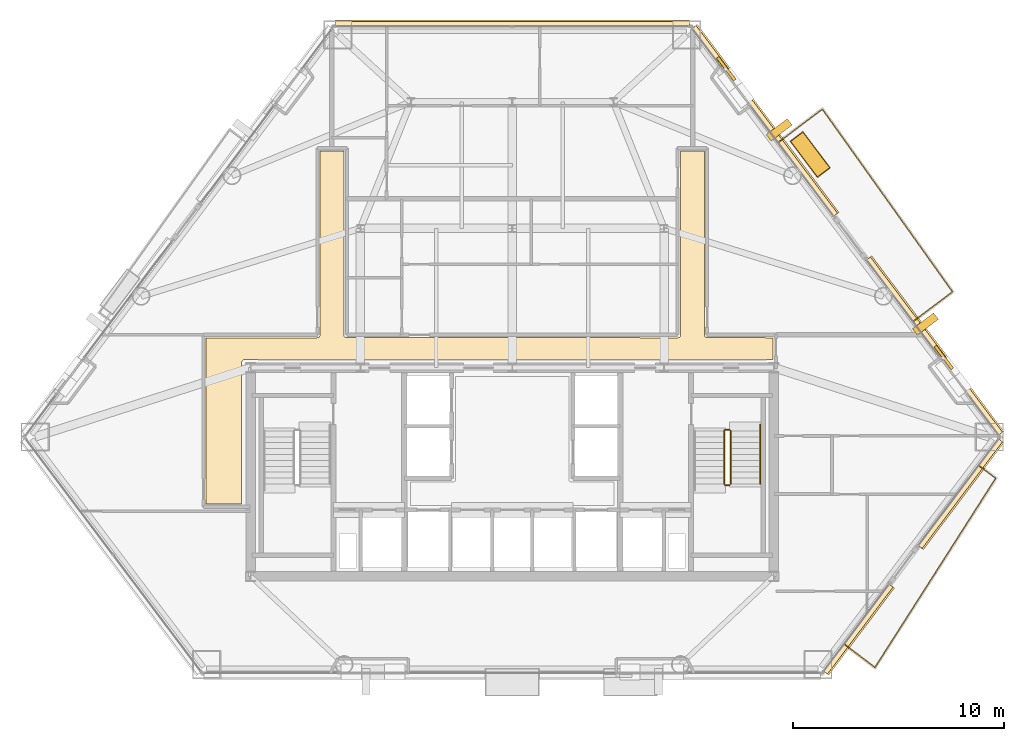
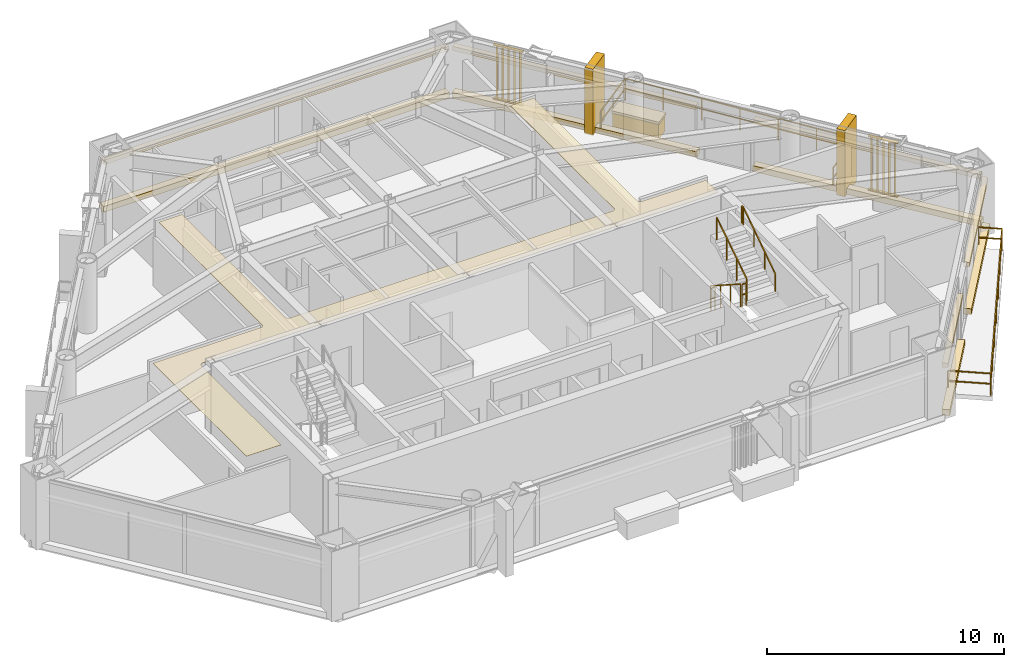
# One storey, part 11 of 11: 15 coverings, 7 railings, 2 shading devices.
"""IFC4 building model written with IfcOpenShell, lengths in metres."""

from ifc_helpers import new_model, si_unit, direction, frame, origin, origin_2d, place, context, subcontext, project, spatial, polyline, rectangle, outline, extrude, source, transform, mapped, material, layer, layer_set, type_object, type_shapes, element, save


model = new_model("IFC4")

# Units and contexts
model_context = context("Model", 3, precision=1e-05, world=origin(), true_north=direction((0.0, 1.0)))
body_context = subcontext(model_context, "Body", "Model", "MODEL_VIEW")
ifc_project = project(units=[si_unit("LENGTHUNIT", "METRE"), si_unit("AREAUNIT", "SQUARE_METRE"), si_unit("VOLUMEUNIT", "CUBIC_METRE"), si_unit("PLANEANGLEUNIT", "RADIAN"), si_unit("MASSUNIT", "GRAM", prefix="KILO")], contexts=[model_context])

# Site, building, storey
site_placement = place(None, origin())
site = spatial("IfcSite", under=ifc_project, at=site_placement, CompositionType="ELEMENT")
building_placement = place(site_placement, origin())
building = spatial("IfcBuilding", under=site, at=building_placement, Name="Talgorran Terracotta Tower", CompositionType="ELEMENT")
storey_placement = place(building_placement, frame((0.0, 0.0, 27.89990234375)))
storey = spatial("IfcBuildingStorey", under=building, at=storey_placement, Name="L06", CompositionType="ELEMENT", Elevation=27.89990234375)

# Coverings
ifc_material_1 = material(Name="Kiln-Fired Terracotta Ochre Ceramic", Category="masonry")
ifc_layer_1 = layer(ifc_material_1, 0.179931640625, Name="COV_BAGUETTE_TERRACOTTA_SCREEN")
ifc_layer_set_1 = layer_set([ifc_layer_1], Name="Kiln-Fired Terracotta Ochre Ceramic")
covering_type_1 = type_object("IfcCoveringType", Name="COV_BAGUETTE_TERRACOTTA_SCREEN", PredefinedType="CLADDING", material=ifc_layer_set_1)
covering_1_placement = place(storey_placement, frame((16.395263671875, -16.590576171875, 2.41015625), z_axis=(0.0, 0.0, 1.0), x_axis=(0.601801084241, 0.798646013579, 0.0)))
element("IfcCovering", 1, at=covering_1_placement, inside=storey, type_object=covering_type_1, Name="L06 Terracotta Baguette Solar Screen Assembly F30", PredefinedType="CLADDING", context=body_context, shape_type="SweptSolid", body=[
    extrude(rectangle(XDim=5.163330078125, YDim=0.260009765625, at=origin_2d()), origin(), (0.0, 0.0, 1.0), 0.219970703125),
])
covering_2_placement = place(storey_placement, frame((21.237060546875, -10.1650390625, 2.41015625), z_axis=(0.0, 0.0, 1.0), x_axis=(0.601815023152, 0.798635510047, 0.0)))
element("IfcCovering", 2, at=covering_2_placement, inside=storey, type_object=covering_type_1, Name="L06 Terracotta Baguette Solar Screen Assembly F31", PredefinedType="CLADDING", context=body_context, shape_type="SweptSolid", body=[
    extrude(rectangle(XDim=6.327392578125, YDim=0.260009765625, at=origin_2d()), origin(), (0.0, 0.0, 1.0), 0.219970703125),
])
covering_3_placement = place(storey_placement, frame((20.010986328125, -3.188720703125, 2.41015625), z_axis=(0.0, 0.0, 1.0), x_axis=(-0.601801084241, 0.798646013579, 0.0)))
element("IfcCovering", 3, at=covering_3_placement, inside=storey, type_object=covering_type_1, Name="L06 Terracotta Baguette Solar Screen Assembly F40", PredefinedType="CLADDING", context=body_context, shape_type="SweptSolid", body=[
    extrude(rectangle(XDim=10.401611328125, YDim=0.260009765625, at=origin_2d()), origin(), (0.0, 0.0, 1.0), 0.219970703125),
])
covering_4_placement = place(storey_placement, frame((11.962646484375, 7.491943359375, 2.41015625), z_axis=(0.0, 0.0, 1.0), x_axis=(-0.601815023152, 0.798635510047, 0.0)))
element("IfcCovering", 4, at=covering_4_placement, inside=storey, type_object=covering_type_1, Name="L06 Terracotta Baguette Solar Screen Assembly F41", PredefinedType="CLADDING", context=body_context, shape_type="SweptSolid", body=[
    extrude(rectangle(XDim=11.14599609375, YDim=0.260009765625, at=origin_2d()), origin(), (0.0, 0.0, 1.0), 0.219970703125),
])
covering_5_placement = place(storey_placement, frame((0.0, 12.0703125, 2.41015625), z_axis=(0.0, 0.0, 1.0), x_axis=(-1.0, 0.0, 0.0)))
element("IfcCovering", 5, at=covering_5_placement, inside=storey, type_object=covering_type_1, Name="L06 Terracotta Baguette Solar Screen Assembly F4", PredefinedType="CLADDING", context=body_context, shape_type="SweptSolid", body=[
    extrude(rectangle(XDim=16.78515625, YDim=0.260009765625, at=origin_2d()), origin(), (0.0, 0.0, 1.0), 0.219970703125),
])
ifc_material_2 = material(Name="Mineral Fibre Acoustic Tile")
ifc_layer_2 = layer(ifc_material_2, 0.02490234375, Name="COV_CEIL_ACOUSTIC")
ifc_layer_set_2 = layer_set([ifc_layer_2], Name="Mineral Fibre Acoustic Tile")
covering_type_2 = type_object("IfcCoveringType", Name="COV_CEIL_ACOUSTIC", PredefinedType="CEILING", material=ifc_layer_set_2)
covering_6_placement = place(storey_placement, frame((0.0, 0.0, 3.260009765625)))
element("IfcCovering", 6, at=covering_6_placement, inside=storey, type_object=covering_type_2, Name="CEIL-L06-2", PredefinedType="CEILING", context=body_context, shape_type="SweptSolid", body=[
    extrude(outline(polyline([(-12.78857421875, -3.87841796875), (-12.79541015625, -3.884521484375), (-12.803466796875, -3.893310546875), (-12.810302734375, -3.90283203125), (-12.81640625, -3.9130859375), (-12.820556640625, -3.920654296875), (-12.82568359375, -3.931396484375), (-12.82958984375, -3.9423828125), (-12.83251953125, -3.953857421875), (-12.833984375, -3.96533203125), (-12.834716796875, -3.97705078125), (-12.8349609375, -10.6650390625), (-14.514892578125, -10.6650390625), (-14.514892578125, -2.784912109375), (-9.25, -2.784912109375), (-9.23828125, -2.784423828125), (-9.226806640625, -2.78271484375), (-9.21533203125, -2.77978515625), (-9.20703125, -2.77734375), (-9.196044921875, -2.7734375), (-9.185302734375, -2.768310546875), (-9.17529296875, -2.762451171875), (-9.165771484375, -2.75537109375), (-9.156982421875, -2.74755859375), (-9.149169921875, -2.73876953125), (-9.1435546875, -2.73193359375), (-9.136474609375, -2.722412109375), (-9.13037109375, -2.71240234375), (-9.125244140625, -2.70166015625), (-9.121337890625, -2.690673828125), (-9.118408203125, -2.67919921875), (-9.11669921875, -2.66748046875), (-9.1162109375, -2.65576171875), (-9.114990234375, 6.06494140625), (-7.985107421875, 6.06494140625), (-7.985107421875, -2.64990234375), (-7.984375, -2.66162109375), (-7.982666015625, -2.67333984375), (-7.97998046875, -2.6845703125), (-7.977294921875, -2.69287109375), (-7.973388671875, -2.7041015625), (-7.968505859375, -2.714599609375), (-7.96240234375, -2.724853515625), (-7.955322265625, -2.734375), (-7.947509765625, -2.742919921875), (-7.938720703125, -2.7509765625), (-7.931884765625, -2.756591796875), (-7.922607421875, -2.763671875), (-7.912353515625, -2.769775390625), (-7.901611328125, -2.774658203125), (-7.890625, -2.77880859375), (-7.879150390625, -2.781494140625), (-7.867431640625, -2.783203125), (-7.855712890625, -2.783935546875), (7.85009765625, -2.784912109375), (7.86181640625, -2.784423828125), (7.873291015625, -2.78271484375), (7.884521484375, -2.77978515625), (7.892822265625, -2.77734375), (7.904052734375, -2.7734375), (7.914794921875, -2.768310546875), (7.9248046875, -2.762451171875), (7.934326171875, -2.75537109375), (7.943115234375, -2.74755859375), (7.950927734375, -2.73876953125), (7.95654296875, -2.73193359375), (7.963623046875, -2.722412109375), (7.9697265625, -2.71240234375), (7.974609375, -2.70166015625), (7.978759765625, -2.690673828125), (7.981689453125, -2.67919921875), (7.9833984375, -2.66748046875), (7.98388671875, -2.65576171875), (7.985107421875, 6.06494140625), (9.114990234375, 6.06494140625), (9.114990234375, -2.64990234375), (9.115478515625, -2.66162109375), (9.1171875, -2.67333984375), (9.1201171875, -2.6845703125), (9.12255859375, -2.69287109375), (9.12646484375, -2.7041015625), (9.131591796875, -2.714599609375), (9.1376953125, -2.724853515625), (9.14453125, -2.734375), (9.152587890625, -2.742919921875), (9.1611328125, -2.7509765625), (9.16796875, -2.756591796875), (9.177490234375, -2.763671875), (9.1875, -2.769775390625), (9.1982421875, -2.774658203125), (9.20947265625, -2.77880859375), (9.220703125, -2.781494140625), (9.232421875, -2.783203125), (9.244384765625, -2.783935546875), (12.364990234375, -2.784912109375), (12.364990234375, -3.80908203125), (12.1201171875, -3.80908203125), (12.108154296875, -3.8095703125), (12.0966796875, -3.811279296875), (12.085205078125, -3.814208984375), (12.07421875, -3.818115234375), (12.0634765625, -3.8232421875), (12.05322265625, -3.8291015625), (12.0439453125, -3.836181640625), (12.03515625, -3.843994140625), (12.034423828125, -3.844970703125), (7.432861328125, -3.844970703125), (6.968017578125, -3.843017578125), (6.967529296875, -3.843017578125), (0.232666015625, -3.844970703125), (-0.23193359375, -3.843017578125), (-0.232421875, -3.843017578125), (-6.96728515625, -3.844970703125), (-7.431884765625, -3.843017578125), (-7.4326171875, -3.843017578125), (-12.034423828125, -3.844970703125), (-12.03515625, -3.843994140625), (-12.0439453125, -3.836181640625), (-12.05322265625, -3.8291015625), (-12.0634765625, -3.8232421875), (-12.07421875, -3.818115234375), (-12.085205078125, -3.814208984375), (-12.0966796875, -3.811279296875), (-12.108154296875, -3.8095703125), (-12.1201171875, -3.80908203125), (-12.679931640625, -3.80908203125), (-12.69189453125, -3.8095703125), (-12.703369140625, -3.811279296875), (-12.71484375, -3.814208984375), (-12.725830078125, -3.818115234375), (-12.736572265625, -3.8232421875), (-12.74658203125, -3.8291015625), (-12.756103515625, -3.836181640625), (-12.764892578125, -3.843994140625), (-12.772705078125, -3.852783203125), (-12.77978515625, -3.8623046875), (-12.785888671875, -3.872314453125), (-12.78857421875, -3.87841796875)])), origin(), (0.0, 0.0, 1.0), 0.02001953125),
])
ifc_material_3 = material(Name="Honed Limestone and Terracotta Planter", Category="masonry")
ifc_layer_3 = layer(ifc_material_3, 0.1201171875, Name="COV_PLANTER_BOX")
ifc_layer_set_3 = layer_set([ifc_layer_3], Name="Honed Limestone and Terracotta Planter")
covering_type_3 = type_object("IfcCoveringType", Name="COV_PLANTER_BOX", PredefinedType="CLADDING", material=ifc_layer_set_3)
covering_7_placement = place(storey_placement, frame((14.12548828125, 5.901123046875, -0.02001953125), z_axis=(0.0, 0.0, 1.0), x_axis=(-0.601815023152, 0.798635510047, 0.0)))
element("IfcCovering", 7, at=covering_7_placement, inside=storey, type_object=covering_type_3, Name="L06 Staggered Balcony Planter Box BAL-NE", PredefinedType="CLADDING", context=body_context, shape_type="SweptSolid", body=[
    extrude(rectangle(XDim=2.10009765625, YDim=0.719970703125, at=origin_2d()), origin(), (0.0, 0.0, 1.0), 0.860107421875),
])
ifc_material_4 = material(Name="Kiln-Fired Terracotta Planter Rim", Category="masonry")
ifc_layer_4 = layer(ifc_material_4, 0.10009765625, Name="COV_PLANTER_RIM")
ifc_layer_set_4 = layer_set([ifc_layer_4], Name="Kiln-Fired Terracotta Planter Rim")
covering_type_4 = type_object("IfcCoveringType", Name="COV_PLANTER_RIM", PredefinedType="CLADDING", material=ifc_layer_set_4)
covering_8_placement = place(storey_placement, frame((14.12548828125, 5.901123046875, 0.800048828125), z_axis=(0.0, 0.0, 1.0), x_axis=(-0.601815023152, 0.798635510047, 0.0)))
element("IfcCovering", 8, at=covering_8_placement, inside=storey, type_object=covering_type_4, Name="L06 Balcony Planter Terracotta Rim BAL-NE", PredefinedType="CLADDING", context=body_context, shape_type="SweptSolid", body=[
    extrude(rectangle(XDim=2.179931640625, YDim=0.780029296875, at=origin_2d()), origin(), (0.0, 0.0, 1.0), 0.1201171875),
])
ifc_material_5 = material(Name="Honed Limestone Cladding", Category="masonry")
ifc_layer_5 = layer(ifc_material_5, 0.094970703125, Name="COV_PORTAL_LIME")
ifc_layer_set_5 = layer_set([ifc_layer_5], Name="Honed Limestone Cladding")
covering_type_5 = type_object("IfcCoveringType", Name="COV_PORTAL_LIME", PredefinedType="CLADDING", material=ifc_layer_set_5)
covering_9_placement = place(storey_placement, frame((16.427001953125, -16.614501953125, -0.0400390625), z_axis=(0.0, 0.0, 1.0), x_axis=(0.601801084241, 0.798646013579, 0.0)))
element("IfcCovering", 9, at=covering_9_placement, inside=storey, type_object=covering_type_5, Name="L06 Striped Postmodern Portal Cladding Band F30", PredefinedType="CLADDING", context=body_context, shape_type="SweptSolid", body=[
    extrude(rectangle(XDim=5.183349609375, YDim=0.340087890625, at=origin_2d()), origin(), (0.0, 0.0, 1.0), 0.300048828125),
])
covering_10_placement = place(storey_placement, frame((21.268798828125, -10.189208984375, -0.0400390625), z_axis=(0.0, 0.0, 1.0), x_axis=(0.601815023152, 0.798635510047, 0.0)))
element("IfcCovering", 10, at=covering_10_placement, inside=storey, type_object=covering_type_5, Name="L06 Striped Postmodern Portal Cladding Band F31", PredefinedType="CLADDING", context=body_context, shape_type="SweptSolid", body=[
    extrude(rectangle(XDim=6.347412109375, YDim=0.340087890625, at=origin_2d()), origin(), (0.0, 0.0, 1.0), 0.300048828125),
])
covering_11_placement = place(storey_placement, frame((20.04296875, -3.164794921875, -0.0400390625), z_axis=(0.0, 0.0, 1.0), x_axis=(-0.601801084241, 0.798646013579, 0.0)))
element("IfcCovering", 11, at=covering_11_placement, inside=storey, type_object=covering_type_5, Name="L06 Striped Postmodern Portal Cladding Band F40", PredefinedType="CLADDING", context=body_context, shape_type="SweptSolid", body=[
    extrude(rectangle(XDim=10.421630859375, YDim=0.340087890625, at=origin_2d()), origin(), (0.0, 0.0, 1.0), 0.300048828125),
])
covering_12_placement = place(storey_placement, frame((11.994384765625, 7.51611328125, -0.0400390625), z_axis=(0.0, 0.0, 1.0), x_axis=(-0.601815023152, 0.798635510047, 0.0)))
element("IfcCovering", 12, at=covering_12_placement, inside=storey, type_object=covering_type_5, Name="L06 Striped Postmodern Portal Cladding Band F41", PredefinedType="CLADDING", context=body_context, shape_type="SweptSolid", body=[
    extrude(rectangle(XDim=11.166015625, YDim=0.340087890625, at=origin_2d()), origin(), (0.0, 0.0, 1.0), 0.300048828125),
])
covering_13_placement = place(storey_placement, frame((0.0, 12.1103515625, -0.0400390625), z_axis=(0.0, 0.0, 1.0), x_axis=(-1.0, 0.0, 0.0)))
element("IfcCovering", 13, at=covering_13_placement, inside=storey, type_object=covering_type_5, Name="L06 Striped Postmodern Portal Cladding Band F4", PredefinedType="CLADDING", context=body_context, shape_type="SweptSolid", body=[
    extrude(rectangle(XDim=16.80517578125, YDim=0.340087890625, at=origin_2d()), origin(), (0.0, 0.0, 1.0), 0.300048828125),
])
covering_14_placement = place(storey_placement, frame((12.656005859375, 7.070068359375, -0.0498046875), z_axis=(0.0, 0.0, 1.0), x_axis=(-0.601815023152, 0.798635510047, 0.0)))
element("IfcCovering", 14, at=covering_14_placement, inside=storey, type_object=covering_type_5, Name="L06 White Striped Portal Fin F3-2", PredefinedType="CLADDING", context=body_context, shape_type="SweptSolid", body=[
    extrude(rectangle(XDim=0.3798828125, YDim=1.25, at=origin_2d()), origin(), (0.0, 0.0, 1.0), 3.39990234375),
])
ifc_material_6 = material(Name="Kiln-Fired Terracotta Cladding", Category="masonry")
ifc_layer_6 = layer(ifc_material_6, 0.090087890625, Name="COV_PORTAL_TERRA")
ifc_layer_set_6 = layer_set([ifc_layer_6], Name="Kiln-Fired Terracotta Cladding")
covering_type_6 = type_object("IfcCoveringType", Name="COV_PORTAL_TERRA", PredefinedType="CLADDING", material=ifc_layer_set_6)
covering_15_placement = place(storey_placement, frame((19.591064453125, -2.133056640625, -0.0498046875), z_axis=(0.0, 0.0, 1.0), x_axis=(-0.601815023152, 0.798635510047, 0.0)))
element("IfcCovering", 15, at=covering_15_placement, inside=storey, type_object=covering_type_6, Name="L06 Terracotta Striped Portal Fin F3-1", PredefinedType="CLADDING", context=body_context, shape_type="SweptSolid", body=[
    extrude(rectangle(XDim=0.3798828125, YDim=1.25, at=origin_2d()), origin(), (0.0, 0.0, 1.0), 3.39990234375),
])

# Railings
ifc_material_7 = material(Name="Laminated Glass and Stainless Steel 316", Category="steel")
railing_type_1 = type_object("IfcRailingType", Name="RL_BALCONY_1150", PredefinedType="BALUSTRADE", material=ifc_material_7)
railing_1_placement = place(storey_placement, frame((19.01806640625, -2.004150390625, 0.0)))
element("IfcRailing", 16, at=railing_1_placement, inside=storey, type_object=railing_type_1, Name="RL-L06-BAL-BAL-NE", PredefinedType="BALUSTRADE", context=body_context, shape_type="SweptSolid", body=[
    extrude(rectangle(XDim=0.048095703125, YDim=0.048095703125, at=origin_2d()), frame((0.0, 0.0, 1.1259765625), z_axis=(0.798622884472, 0.601831777491, 0.0), x_axis=(-0.601831777491, 0.798622884472, 0.0)), (0.0, 0.0, 1.0), 2.322509765625),
    extrude(rectangle(XDim=0.048095703125, YDim=0.048095703125, at=origin_2d()), frame((0.0, 0.0, 0.597900390625), z_axis=(0.798622884472, 0.601831777491, 0.0), x_axis=(-0.601831777491, 0.798622884472, 0.0)), (0.0, 0.0, 1.0), 2.322509765625),
    extrude(rectangle(XDim=0.048095703125, YDim=0.048095703125, at=origin_2d()), frame((1.854736328125, 1.397705078125, 1.1259765625), z_axis=(-0.580360271972, 0.814359843507, 0.0), x_axis=(-0.814359843507, -0.580360271972, 0.0)), (0.0, 0.0, 1.0), 10.631591796875),
    extrude(rectangle(XDim=0.048095703125, YDim=0.048095703125, at=origin_2d()), frame((1.854736328125, 1.397705078125, 0.597900390625), z_axis=(-0.580360271972, 0.814359843507, 0.0), x_axis=(-0.814359843507, -0.580360271972, 0.0)), (0.0, 0.0, 1.0), 10.631591796875),
    extrude(rectangle(XDim=0.048095703125, YDim=0.048095703125, at=origin_2d()), frame((-4.3154296875, 10.0556640625, 1.1259765625), z_axis=(-0.798625943791, -0.601827717793, 0.0), x_axis=(0.601827717793, -0.798625943791, 0.0)), (0.0, 0.0, 1.0), 2.605224609375),
    extrude(rectangle(XDim=0.048095703125, YDim=0.048095703125, at=origin_2d()), frame((-4.3154296875, 10.0556640625, 0.597900390625), z_axis=(-0.798625943791, -0.601827717793, 0.0), x_axis=(0.601827717793, -0.798625943791, 0.0)), (0.0, 0.0, 1.0), 2.605224609375),
    extrude(rectangle(XDim=0.0419921875, YDim=0.0419921875, at=origin_2d()), origin(), (0.0, 0.0, 1.0), 1.101806640625),
    extrude(rectangle(XDim=0.0419921875, YDim=0.0419921875, at=origin_2d()), frame((0.92724609375, 0.69873046875, 0.0)), (0.0, 0.0, 1.0), 1.101806640625),
    extrude(rectangle(XDim=0.0419921875, YDim=0.0419921875, at=origin_2d()), frame((1.854736328125, 1.397705078125, 0.0)), (0.0, 0.0, 1.0), 1.101806640625),
    extrude(rectangle(XDim=0.0419921875, YDim=0.0419921875, at=origin_2d()), frame((0.826416015625, 2.8408203125, 0.0)), (0.0, 0.0, 1.0), 1.101806640625),
    extrude(rectangle(XDim=0.0419921875, YDim=0.0419921875, at=origin_2d()), frame((-0.201904296875, 4.28369140625, 0.0)), (0.0, 0.0, 1.0), 1.101806640625),
    extrude(rectangle(XDim=0.0419921875, YDim=0.0419921875, at=origin_2d()), frame((-1.23046875, 5.7265625, 0.0)), (0.0, 0.0, 1.0), 1.101806640625),
    extrude(rectangle(XDim=0.0419921875, YDim=0.0419921875, at=origin_2d()), frame((-2.2587890625, 7.169677734375, 0.0)), (0.0, 0.0, 1.0), 1.101806640625),
    extrude(rectangle(XDim=0.0419921875, YDim=0.0419921875, at=origin_2d()), frame((-3.287109375, 8.61279296875, 0.0)), (0.0, 0.0, 1.0), 1.101806640625),
    extrude(rectangle(XDim=0.0419921875, YDim=0.0419921875, at=origin_2d()), frame((-4.3154296875, 10.0556640625, 0.0)), (0.0, 0.0, 1.0), 1.101806640625),
    extrude(rectangle(XDim=0.0419921875, YDim=0.0419921875, at=origin_2d()), frame((-5.355712890625, 9.271728515625, 0.0)), (0.0, 0.0, 1.0), 1.101806640625),
    extrude(rectangle(XDim=0.0419921875, YDim=0.0419921875, at=origin_2d()), frame((-6.39599609375, 8.48779296875, 0.0)), (0.0, 0.0, 1.0), 1.101806640625),
])
railing_2_placement = place(storey_placement, frame((15.74609375, -17.31884765625, 0.0)))
element("IfcRailing", 17, at=railing_2_placement, inside=storey, type_object=railing_type_1, Name="RL-L06-BAL-BAL-SE", PredefinedType="BALUSTRADE", context=body_context, shape_type="SweptSolid", body=[
    extrude(rectangle(XDim=0.048095703125, YDim=0.048095703125, at=origin_2d()), frame((0.0, 0.0, 1.1259765625), z_axis=(0.798709046824, -0.601717424146, 0.0), x_axis=(0.601717424146, 0.798709046824, 0.0)), (0.0, 0.0, 1.0), 1.818115234375),
    extrude(rectangle(XDim=0.048095703125, YDim=0.048095703125, at=origin_2d()), frame((0.0, 0.0, 0.597900390625), z_axis=(0.798709046824, -0.601717424146, 0.0), x_axis=(0.601717424146, 0.798709046824, 0.0)), (0.0, 0.0, 1.0), 1.818115234375),
    extrude(rectangle(XDim=0.048095703125, YDim=0.048095703125, at=origin_2d()), frame((1.4521484375, -1.093994140625, 1.1259765625), z_axis=(0.537916406925, 0.842998184554, 0.0), x_axis=(-0.842998184554, 0.537916406925, 0.0)), (0.0, 0.0, 1.0), 10.634521484375),
    extrude(rectangle(XDim=0.048095703125, YDim=0.048095703125, at=origin_2d()), frame((1.4521484375, -1.093994140625, 0.597900390625), z_axis=(0.537916406925, 0.842998184554, 0.0), x_axis=(-0.842998184554, 0.537916406925, 0.0)), (0.0, 0.0, 1.0), 10.634521484375),
    extrude(rectangle(XDim=0.048095703125, YDim=0.048095703125, at=origin_2d()), frame((7.172607421875, 7.870849609375, 1.1259765625), z_axis=(-0.798608971494, 0.601850239387, 0.0), x_axis=(-0.601850239387, -0.798608971494, 0.0)), (0.0, 0.0, 1.0), 0.991455078125),
    extrude(rectangle(XDim=0.048095703125, YDim=0.048095703125, at=origin_2d()), frame((7.172607421875, 7.870849609375, 0.597900390625), z_axis=(-0.798608971494, 0.601850239387, 0.0), x_axis=(-0.601850239387, -0.798608971494, 0.0)), (0.0, 0.0, 1.0), 0.991455078125),
    extrude(rectangle(XDim=0.0419921875, YDim=0.0419921875, at=origin_2d()), origin(), (0.0, 0.0, 1.0), 1.101806640625),
    extrude(rectangle(XDim=0.0419921875, YDim=0.0419921875, at=origin_2d()), frame((1.4521484375, -1.093994140625, 0.0)), (0.0, 0.0, 1.0), 1.101806640625),
    extrude(rectangle(XDim=0.0419921875, YDim=0.0419921875, at=origin_2d()), frame((2.405517578125, 0.400146484375, 0.0)), (0.0, 0.0, 1.0), 1.101806640625),
    extrude(rectangle(XDim=0.0419921875, YDim=0.0419921875, at=origin_2d()), frame((3.35888671875, 1.894287109375, 0.0)), (0.0, 0.0, 1.0), 1.101806640625),
    extrude(rectangle(XDim=0.0419921875, YDim=0.0419921875, at=origin_2d()), frame((4.3125, 3.388427734375, 0.0)), (0.0, 0.0, 1.0), 1.101806640625),
    extrude(rectangle(XDim=0.0419921875, YDim=0.0419921875, at=origin_2d()), frame((5.265869140625, 4.882568359375, 0.0)), (0.0, 0.0, 1.0), 1.101806640625),
    extrude(rectangle(XDim=0.0419921875, YDim=0.0419921875, at=origin_2d()), frame((6.21923828125, 6.376708984375, 0.0)), (0.0, 0.0, 1.0), 1.101806640625),
    extrude(rectangle(XDim=0.0419921875, YDim=0.0419921875, at=origin_2d()), frame((7.172607421875, 7.870849609375, 0.0)), (0.0, 0.0, 1.0), 1.101806640625),
    extrude(rectangle(XDim=0.0419921875, YDim=0.0419921875, at=origin_2d()), frame((6.380859375, 8.467529296875, 0.0)), (0.0, 0.0, 1.0), 1.101806640625),
])
ifc_material_8 = material(Name="Steel S355 (300PLUS)", Category="steel")
railing_type_2 = type_object("IfcRailingType", Name="RL_HANDRAIL_920", PredefinedType="HANDRAIL", material=ifc_material_8)
railing_3_placement = place(storey_placement, frame((11.75, -9.719970703125, 1.97998046875)))
element("IfcRailing", 18, at=railing_3_placement, inside=storey, type_object=railing_type_2, Name="L06 ST-02 stair handrail 2", PredefinedType="HANDRAIL", context=body_context, shape_type="SweptSolid", body=[
    extrude(rectangle(XDim=0.048095703125, YDim=0.048095703125, at=origin_2d()), frame((0.0, 0.0, 0.89599609375), z_axis=(0.0, 0.832038719335, 0.554717558338), x_axis=(-1.0, 0.0, 0.0)), (0.0, 0.0, 1.0), 3.244873046875),
    extrude(rectangle(XDim=0.048095703125, YDim=0.048095703125, at=origin_2d()), frame((0.0, 2.699951171875, 2.69580078125), z_axis=(0.0, 1.0, 0.0), x_axis=(-1.0, 0.0, 0.0)), (0.0, 0.0, 1.0), 0.1201171875),
    extrude(rectangle(XDim=0.0419921875, YDim=0.0419921875, at=origin_2d()), origin(), (0.0, 0.0, 1.0), 0.871826171875),
    extrude(rectangle(XDim=0.0419921875, YDim=0.0419921875, at=origin_2d()), frame((0.0, 0.89990234375, 0.60009765625)), (0.0, 0.0, 1.0), 0.871826171875),
    extrude(rectangle(XDim=0.0419921875, YDim=0.0419921875, at=origin_2d()), frame((0.0, 1.800048828125, 1.199951171875)), (0.0, 0.0, 1.0), 0.871826171875),
    extrude(rectangle(XDim=0.0419921875, YDim=0.0419921875, at=origin_2d()), frame((0.0, 2.699951171875, 1.800048828125)), (0.0, 0.0, 1.0), 0.871826171875),
    extrude(rectangle(XDim=0.0419921875, YDim=0.0419921875, at=origin_2d()), frame((0.0, 2.820068359375, 1.800048828125)), (0.0, 0.0, 1.0), 0.871826171875),
])
railing_type_3 = type_object("IfcRailingType", Name="RL_STAIR_GUARD", PredefinedType="GUARDRAIL", material=ifc_material_8)
railing_4_placement = place(storey_placement, frame((10.050048828125, -7.199951171875, 0.18017578125)))
element("IfcRailing", 19, at=railing_4_placement, inside=storey, type_object=railing_type_3, Name="L06 ST-02 stair guard 1", PredefinedType="GUARDRAIL", context=body_context, shape_type="SweptSolid", body=[
    extrude(rectangle(XDim=0.048095703125, YDim=0.048095703125, at=origin_2d()), frame((0.0, 0.0, 1.15576171875), z_axis=(0.0, -0.841199657755, 0.540724639528), x_axis=(1.0, 0.0, 0.0)), (0.0, 0.0, 1.0), 2.995849609375),
    extrude(rectangle(XDim=0.0419921875, YDim=0.0419921875, at=origin_2d()), origin(), (0.0, 0.0, 1.0), 1.1318359375),
    extrude(rectangle(XDim=0.0419921875, YDim=0.0419921875, at=origin_2d()), frame((0.0, -0.840087890625, 0.5400390625)), (0.0, 0.0, 1.0), 1.1318359375),
    extrude(rectangle(XDim=0.0419921875, YDim=0.0419921875, at=origin_2d()), frame((0.0, -1.679931640625, 1.079833984375)), (0.0, 0.0, 1.0), 1.1318359375),
    extrude(rectangle(XDim=0.0419921875, YDim=0.0419921875, at=origin_2d()), frame((0.0, -2.52001953125, 1.619873046875)), (0.0, 0.0, 1.0), 1.1318359375),
])
railing_5_placement = place(storey_placement, frame((10.10009765625, -9.77001953125, 1.800048828125)))
element("IfcRailing", 20, at=railing_5_placement, inside=storey, type_object=railing_type_3, Name="L06 ST-02 stair guard 2", PredefinedType="GUARDRAIL", context=body_context, shape_type="SweptSolid", body=[
    extrude(rectangle(XDim=0.048095703125, YDim=0.048095703125, at=origin_2d()), frame((0.0, 0.0, 1.15576171875), z_axis=(1.0, 0.0, 0.0), x_axis=(0.0, 1.0, 0.0)), (0.0, 0.0, 1.0), 0.199951171875),
    extrude(rectangle(XDim=0.048095703125, YDim=0.048095703125, at=origin_2d()), frame((0.0, 0.0, 0.613525390625), z_axis=(1.0, 0.0, 0.0), x_axis=(0.0, 1.0, 0.0)), (0.0, 0.0, 1.0), 0.199951171875),
    extrude(rectangle(XDim=0.0419921875, YDim=0.0419921875, at=origin_2d()), origin(), (0.0, 0.0, 1.0), 1.1318359375),
    extrude(rectangle(XDim=0.0419921875, YDim=0.0419921875, at=origin_2d()), frame((0.199951171875, 0.0, 0.0)), (0.0, 0.0, 1.0), 1.1318359375),
])
railing_6_placement = place(storey_placement, frame((10.35009765625, -9.719970703125, 1.97998046875)))
element("IfcRailing", 21, at=railing_6_placement, inside=storey, type_object=railing_type_3, Name="L06 ST-02 stair guard 3", PredefinedType="GUARDRAIL", context=body_context, shape_type="SweptSolid", body=[
    extrude(rectangle(XDim=0.048095703125, YDim=0.048095703125, at=origin_2d()), frame((0.0, 0.0, 1.15576171875), z_axis=(0.0, 0.841162588446, 0.540782303519), x_axis=(-1.0, 0.0, 0.0)), (0.0, 0.0, 1.0), 2.995849609375),
    extrude(rectangle(XDim=0.0419921875, YDim=0.0419921875, at=origin_2d()), origin(), (0.0, 0.0, 1.0), 1.1318359375),
    extrude(rectangle(XDim=0.0419921875, YDim=0.0419921875, at=origin_2d()), frame((0.0, 0.840087890625, 0.5400390625)), (0.0, 0.0, 1.0), 1.1318359375),
    extrude(rectangle(XDim=0.0419921875, YDim=0.0419921875, at=origin_2d()), frame((0.0, 1.679931640625, 1.080078125)), (0.0, 0.0, 1.0), 1.1318359375),
    extrude(rectangle(XDim=0.0419921875, YDim=0.0419921875, at=origin_2d()), frame((0.0, 2.52001953125, 1.6201171875)), (0.0, 0.0, 1.0), 1.1318359375),
])
railing_7_placement = place(storey_placement, frame((10.10009765625, -7.14990234375, 0.0)))
element("IfcRailing", 22, at=railing_7_placement, inside=storey, type_object=railing_type_3, Name="L06 ST-02 stair guard 4", PredefinedType="GUARDRAIL", context=body_context, shape_type="SweptSolid", body=[
    extrude(rectangle(XDim=0.048095703125, YDim=0.048095703125, at=origin_2d()), frame((0.0, 0.0, 1.15576171875), z_axis=(1.0, 0.0, 0.0), x_axis=(0.0, 1.0, 0.0)), (0.0, 0.0, 1.0), 0.199951171875),
    extrude(rectangle(XDim=0.048095703125, YDim=0.048095703125, at=origin_2d()), frame((0.0, 0.0, 0.613525390625), z_axis=(1.0, 0.0, 0.0), x_axis=(0.0, 1.0, 0.0)), (0.0, 0.0, 1.0), 0.199951171875),
    extrude(rectangle(XDim=0.0419921875, YDim=0.0419921875, at=origin_2d()), origin(), (0.0, 0.0, 1.0), 1.1318359375),
    extrude(rectangle(XDim=0.0419921875, YDim=0.0419921875, at=origin_2d()), frame((0.199951171875, 0.0, 0.0)), (0.0, 0.0, 1.0), 1.1318359375),
])

# Shading devices
ifc_material_9 = material(Name="Kiln-Fired Terracotta", Category="masonry")
ifc_layer_7 = layer(ifc_material_9, 0.139892578125, Name="SHD_BAGUETTE_TERRA")
ifc_layer_set_7 = layer_set([ifc_layer_7], Name="Kiln-Fired Terracotta")
shading_device_type = type_object("IfcShadingDeviceType", Name="SHD_BAGUETTE_TERRA", PredefinedType="JALOUSIE", material=ifc_layer_set_7)
shared_shape = source(origin(), body_context, "Body", "SweptSolid", [
    extrude(rectangle(XDim=1.35009765625, YDim=0.139892578125, at=origin_2d()), origin(), (0.0, 0.0, 1.0), 0.054931640625),
    extrude(rectangle(XDim=1.35009765625, YDim=0.139892578125, at=origin_2d()), frame((0.0, 0.0, 2.7451171875)), (0.0, 0.0, 1.0), 0.054931640625),
    extrude(rectangle(XDim=0.074951171875, YDim=0.139892578125, at=origin_2d()), frame((-0.53515625, 0.0, 0.054931640625), z_axis=(0.0, 0.0, 1.0), x_axis=(0.866025403784, 0.5, 0.0)), (0.0, 0.0, 1.0), 2.690185546875),
    extrude(rectangle(XDim=0.074951171875, YDim=0.139892578125, at=origin_2d()), frame((-0.267578125, 0.0, 0.054931640625), z_axis=(0.0, 0.0, 1.0), x_axis=(0.866025403784, 0.5, 0.0)), (0.0, 0.0, 1.0), 2.690185546875),
    extrude(rectangle(XDim=0.074951171875, YDim=0.139892578125, at=origin_2d()), frame((0.0, 0.0, 0.054931640625), z_axis=(0.0, 0.0, 1.0), x_axis=(0.866025403784, 0.5, 0.0)), (0.0, 0.0, 1.0), 2.690185546875),
    extrude(rectangle(XDim=0.074951171875, YDim=0.139892578125, at=origin_2d()), frame((0.267578125, 0.0, 0.054931640625), z_axis=(0.0, 0.0, 1.0), x_axis=(0.866025403784, 0.5, 0.0)), (0.0, 0.0, 1.0), 2.690185546875),
    extrude(rectangle(XDim=0.074951171875, YDim=0.139892578125, at=origin_2d()), frame((0.53515625, 0.0, 0.054931640625), z_axis=(0.0, 0.0, 1.0), x_axis=(0.866025403784, 0.5, 0.0)), (0.0, 0.0, 1.0), 2.690185546875),
])
type_shapes(shading_device_type, [shared_shape])
for number, where, z_axis, x_axis, name in (
    (23, (20.462158203125, -3.720947265625, 0.35009765625), (0.0, 0.0, 1.0), (-0.601801084241, 0.798646013579, 0.0), "BAG-L06-F40"),
    (24, (10.144775390625, 9.970703125, 0.35009765625), (0.0, 0.0, 1.0), (-0.601815023152, 0.798635510047, 0.0), "BAG-L06-F41"),
):
    element("IfcShadingDevice", number, at=place(storey_placement, frame(where, z_axis=z_axis, x_axis=x_axis)), inside=storey, type_object=shading_device_type, Name=name, PredefinedType="JALOUSIE", context=body_context, shape_type="MappedRepresentation", body=[
        mapped(shared_shape, transform((0.0, 0.0, 0.0), scale=1.0)),
    ])

save(model, "model.ifc")
